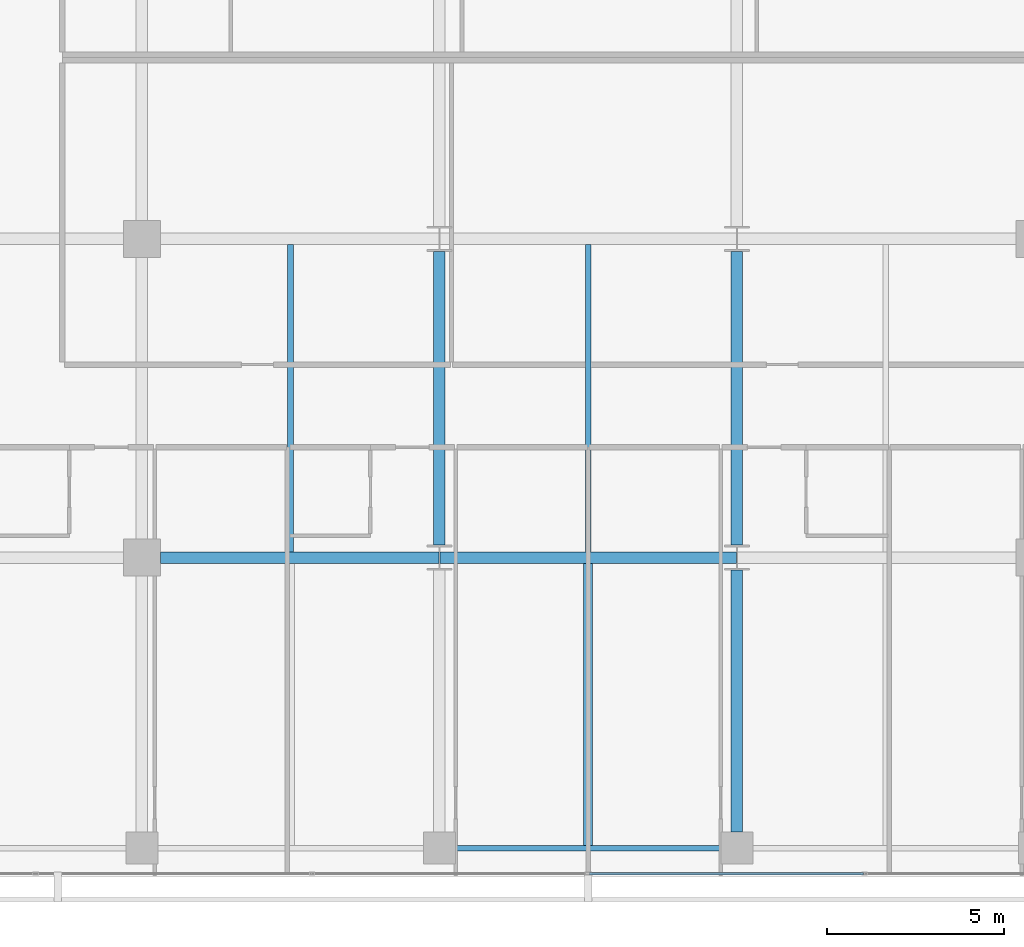
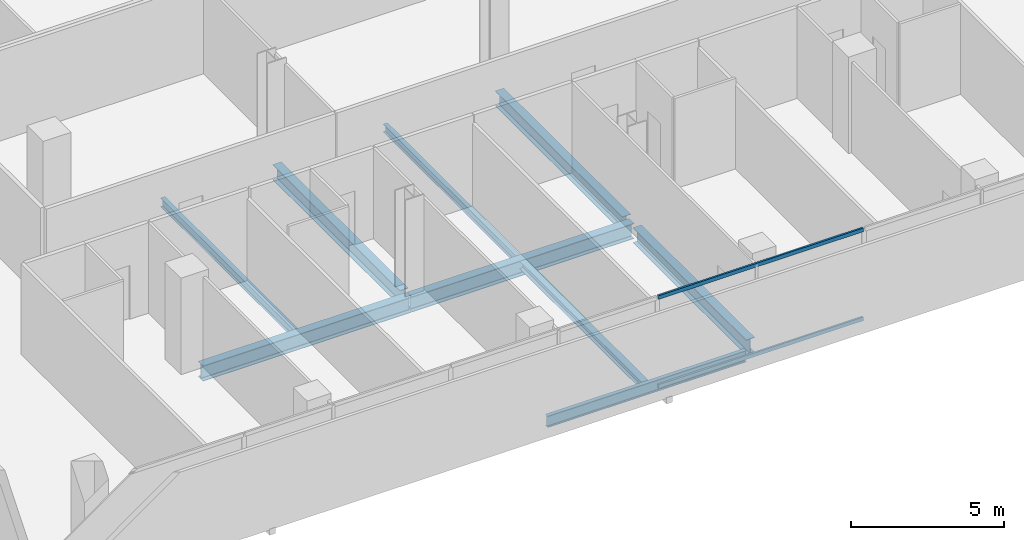
# One storey, part 9 of 40: 9 beams, 2 members, 1 element without a shape of its own.
"""IFC4 building model written with IfcOpenShell, lengths in metres."""

from ifc_helpers import new_model, si_unit, direction, frame, origin, origin_2d, place, context, subcontext, project, spatial, hollow_rectangle, i_section, extrude, material, layer, layer_set, material_profile, profile_set, type_object, element, aggregate, save


model = new_model("IFC4")

# Units and contexts
model_context = context("Model", 3, precision=1e-05, world=origin(), true_north=direction((0.0, 1.0)))
body_context = subcontext(model_context, "Body", "Model", "MODEL_VIEW")
ifc_project = project(units=[si_unit("LENGTHUNIT", "METRE"), si_unit("AREAUNIT", "SQUARE_METRE"), si_unit("VOLUMEUNIT", "CUBIC_METRE"), si_unit("PLANEANGLEUNIT", "RADIAN"), si_unit("MASSUNIT", "GRAM", prefix="KILO")], contexts=[model_context])

# Site, building, storey
site_placement = place(None, origin())
site = spatial("IfcSite", under=ifc_project, at=site_placement, CompositionType="ELEMENT")
building_placement = place(site_placement, origin())
building = spatial("IfcBuilding", under=site, at=building_placement, Name="Maruvema Waterfront Hotel and Observation Tower", CompositionType="ELEMENT")
storey_placement = place(building_placement, frame((0.0, 0.0, 88.550048828125)))
storey = spatial("IfcBuildingStorey", under=building, at=storey_placement, Name="L21", CompositionType="ELEMENT", Elevation=88.550048828125)

# Curtain wall, members
ifc_material_1 = material(Name="Anodised bronze aluminium and solar-control low-E IGU", Category="aluminium")
ifc_layer = layer(ifc_material_1, 0.159912109375, Name="Zone 1 Bronze Inner Thermal Curtain Wall System CW-02")
ifc_layer_set = layer_set([ifc_layer], Name="Anodised bronze aluminium and solar-control low-E IGU")
curtain_wall_type = type_object("IfcCurtainWallType", Name="Zone 1 Bronze Inner Thermal Curtain Wall System CW-02", PredefinedType="USERDEFINED", material=ifc_layer_set)
curtain_wall_placement = place(storey_placement, origin())
curtain_wall = element("IfcCurtainWall", 1, at=curtain_wall_placement, inside=storey, type_object=curtain_wall_type, Name="L21 Curtain Wall CW-L21-S", ObjectType="UNITISED CURTAIN WALL", PredefinedType="USERDEFINED")
ifc_material_2 = material(Name="Anodised architectural bronze aluminium", Category="aluminium")
ifc_material_profile_1 = material_profile(ifc_material_2, hollow_rectangle(XDim=0.070068359375, YDim=0.14990234375, WallThickness=0.00390625, at=origin_2d()), Name="ALU-T70x150")
ifc_profile_set_1 = profile_set([ifc_material_profile_1], Name="Anodised architectural bronze aluminium")
member_type = type_object("IfcMemberType", Name="Curtain Wall Horizontal Transom ALU-T70x150", PredefinedType="USERDEFINED", material=ifc_profile_set_1)
member_1_placement = place(storey_placement, frame((37.830078125, 0.080078125, 0.030029296875), z_axis=(1.0, 0.0, 0.0), x_axis=(0.0, 1.0, 0.0)))
member_1 = element("IfcMember", 2, at=member_1_placement, type_object=member_type, Name="CW-02 transom 4.1", ObjectType="TRANSOM", PredefinedType="USERDEFINED", context=body_context, shape_type="SweptSolid", body=[
    extrude(hollow_rectangle(XDim=0.070068359375, YDim=0.14990234375, WallThickness=0.00390625, at=origin_2d()), origin(), (0.0, 0.0, 1.0), 7.739990234375),
])
member_2_placement = place(storey_placement, frame((37.830078125, 0.080078125, 3.579833984375), z_axis=(1.0, 0.0, 0.0), x_axis=(0.0, 1.0, 0.0)))
member_2 = element("IfcMember", 3, at=member_2_placement, type_object=member_type, Name="CW-02 transom 4.2", ObjectType="TRANSOM", PredefinedType="USERDEFINED", context=body_context, shape_type="SweptSolid", body=[
    extrude(hollow_rectangle(XDim=0.070068359375, YDim=0.14990234375, WallThickness=0.00390625, at=origin_2d()), origin(), (0.0, 0.0, 1.0), 7.739990234375),
])
aggregate(curtain_wall, [member_1, member_2])

# Beams
ifc_material_3 = material(Name="Steel ASTM A572 Grade 50", Category="steel")
ifc_material_profile_2 = material_profile(ifc_material_3, i_section(OverallWidth=0.153076171875, OverallDepth=0.455078125, WebThickness=0.008056640625, FlangeThickness=0.01318359375, FilletRadius=0.014892578125, at=origin_2d()), Name="W460x60.0")
ifc_profile_set_2 = profile_set([ifc_material_profile_2], Name="Steel ASTM A572 Grade 50")
beam_type_1 = type_object("IfcBeamType", Name="Perimeter Spandrel Beam W460x60.0", PredefinedType="SPANDREL", material=ifc_profile_set_2)
beam_1_placement = place(storey_placement, frame((34.050048828125, 0.800048828125, -0.467529296875), z_axis=(1.0, 0.0, 0.0), x_axis=(0.0, 1.0, 0.0)))
element("IfcBeam", 4, at=beam_1_placement, inside=storey, type_object=beam_type_1, Name="L21 Floor Girder EW-03", PredefinedType="SPANDREL", context=body_context, shape_type="SweptSolid", body=[
    extrude(i_section(OverallWidth=0.153076171875, OverallDepth=0.455078125, WebThickness=0.008056640625, FlangeThickness=0.01318359375, FilletRadius=0.014892578125, at=origin_2d()), origin(), (0.0, 0.0, 1.0), 7.5),
])
ifc_material_4 = material(Name="Steel ASTM A572 Grade 50", Category="steel")
ifc_material_profile_3 = material_profile(ifc_material_4, i_section(OverallWidth=0.323974609375, OverallDepth=0.611083984375, WebThickness=0.0126953125, FlangeThickness=0.01904296875, FilletRadius=0.01806640625, at=origin_2d()), Name="W610x155.0")
ifc_profile_set_3 = profile_set([ifc_material_profile_3], Name="Steel ASTM A572 Grade 50")
beam_type_2 = type_object("IfcBeamType", Name="Primary Floor Girder W610x155.0", PredefinedType="BEAM", material=ifc_profile_set_3)
beam_2_placement = place(storey_placement, frame((25.72509765625, 9.0, -0.545654296875), z_axis=(1.0, 0.0, 0.0), x_axis=(0.0, 1.0, 0.0)))
element("IfcBeam", 5, at=beam_2_placement, inside=storey, type_object=beam_type_2, Name="L21 Floor Girder EW-08", PredefinedType="BEAM", context=body_context, shape_type="SweptSolid", body=[
    extrude(i_section(OverallWidth=0.323974609375, OverallDepth=0.611083984375, WebThickness=0.0126953125, FlangeThickness=0.01904296875, FilletRadius=0.01806640625, at=origin_2d()), origin(), (0.0, 0.0, 1.0), 7.86083984375),
])
beam_3_placement = place(storey_placement, frame((33.614013671875, 9.0, -0.545654296875), z_axis=(1.0, 0.0, 0.0), x_axis=(0.0, 1.0, 0.0)))
element("IfcBeam", 6, at=beam_3_placement, inside=storey, type_object=beam_type_2, Name="L21 Floor Girder EW-09", PredefinedType="BEAM", context=body_context, shape_type="SweptSolid", body=[
    extrude(i_section(OverallWidth=0.323974609375, OverallDepth=0.611083984375, WebThickness=0.0126953125, FlangeThickness=0.01904296875, FilletRadius=0.01806640625, at=origin_2d()), origin(), (0.0, 0.0, 1.0), 8.3720703125),
])
beam_4_placement = place(storey_placement, frame((33.60009765625, 9.35009765625, -0.545654296875), z_axis=(0.0, 1.0, 0.0), x_axis=(-1.0, 0.0, 0.0)))
element("IfcBeam", 7, at=beam_4_placement, inside=storey, type_object=beam_type_2, Name="L21 Floor Girder NS-17", PredefinedType="BEAM", context=body_context, shape_type="SweptSolid", body=[
    extrude(i_section(OverallWidth=0.323974609375, OverallDepth=0.611083984375, WebThickness=0.0126953125, FlangeThickness=0.01904296875, FilletRadius=0.01806640625, at=origin_2d()), origin(), (0.0, 0.0, 1.0), 8.2998046875),
])
beam_5_placement = place(storey_placement, frame((42.0, 1.25, -0.545654296875), z_axis=(0.0, 1.0, 0.0), x_axis=(-1.0, 0.0, 0.0)))
element("IfcBeam", 8, at=beam_5_placement, inside=storey, type_object=beam_type_2, Name="L21 Floor Girder NS-19", PredefinedType="BEAM", context=body_context, shape_type="SweptSolid", body=[
    extrude(i_section(OverallWidth=0.323974609375, OverallDepth=0.611083984375, WebThickness=0.0126953125, FlangeThickness=0.01904296875, FilletRadius=0.01806640625, at=origin_2d()), origin(), (0.0, 0.0, 1.0), 7.39990234375),
])
beam_6_placement = place(storey_placement, frame((42.0, 9.35009765625, -0.545654296875), z_axis=(0.0, 1.0, 0.0), x_axis=(-1.0, 0.0, 0.0)))
element("IfcBeam", 9, at=beam_6_placement, inside=storey, type_object=beam_type_2, Name="L21 Floor Girder NS-20", PredefinedType="BEAM", context=body_context, shape_type="SweptSolid", body=[
    extrude(i_section(OverallWidth=0.323974609375, OverallDepth=0.611083984375, WebThickness=0.0126953125, FlangeThickness=0.01904296875, FilletRadius=0.01806640625, at=origin_2d()), origin(), (0.0, 0.0, 1.0), 8.2998046875),
])
ifc_material_5 = material(Name="Steel ASTM A572 Grade 50", Category="steel")
ifc_material_profile_4 = material_profile(ifc_material_5, i_section(OverallWidth=0.1669921875, OverallDepth=0.31689453125, WebThickness=0.007568359375, FlangeThickness=0.01318359375, FilletRadius=0.012939453125, at=origin_2d()), Name="W310x52.0")
ifc_profile_set_4 = profile_set([ifc_material_profile_4], Name="Steel ASTM A572 Grade 50")
beam_type_3 = type_object("IfcBeamType", Name="Secondary Floor Joist W310x52.0", PredefinedType="JOIST", material=ifc_profile_set_4)
beam_7_placement = place(storey_placement, frame((37.800048828125, 9.162109375, -0.3984375), z_axis=(0.0, 1.0, 0.0), x_axis=(-1.0, 0.0, 0.0)))
element("IfcBeam", 10, at=beam_7_placement, inside=storey, type_object=beam_type_3, Name="L21 Secondary Floor Joist JS-13", PredefinedType="JOIST", context=body_context, shape_type="SweptSolid", body=[
    extrude(i_section(OverallWidth=0.1669921875, OverallDepth=0.31689453125, WebThickness=0.007568359375, FlangeThickness=0.01318359375, FilletRadius=0.012939453125, at=origin_2d()), origin(), (0.0, 0.0, 1.0), 8.67578125),
])
ifc_material_6 = material(Name="Steel ASTM A572 Grade 50", Category="steel")
ifc_material_profile_5 = material_profile(ifc_material_6, i_section(OverallWidth=0.25390625, OverallDepth=0.305908203125, WebThickness=0.0087890625, FlangeThickness=0.0146484375, FilletRadius=0.014892578125, at=origin_2d()), Name="W310x79.0")
ifc_profile_set_5 = profile_set([ifc_material_profile_5], Name="Steel ASTM A572 Grade 50")
beam_type_4 = type_object("IfcBeamType", Name="Secondary Floor Joist W310x79.0", PredefinedType="JOIST", material=ifc_profile_set_5)
beam_8_placement = place(storey_placement, frame((37.800048828125, 0.87646484375, -0.39306640625), z_axis=(0.0, 1.0, 0.0), x_axis=(-1.0, 0.0, 0.0)))
element("IfcBeam", 11, at=beam_8_placement, inside=storey, type_object=beam_type_4, Name="L21 Secondary Floor Joist JS-12", PredefinedType="JOIST", context=body_context, shape_type="SweptSolid", body=[
    extrude(i_section(OverallWidth=0.25390625, OverallDepth=0.305908203125, WebThickness=0.0087890625, FlangeThickness=0.0146484375, FilletRadius=0.014892578125, at=origin_2d()), origin(), (0.0, 0.0, 1.0), 7.96142578125),
])
ifc_material_7 = material(Name="Steel ASTM A572 Grade 50", Category="steel")
ifc_material_profile_6 = material_profile(ifc_material_7, i_section(OverallWidth=0.1708984375, OverallDepth=0.35498046875, WebThickness=0.007080078125, FlangeThickness=0.01171875, FilletRadius=0.014892578125, at=origin_2d()), Name="W360x51.0")
ifc_profile_set_6 = profile_set([ifc_material_profile_6], Name="Steel ASTM A572 Grade 50")
beam_type_5 = type_object("IfcBeamType", Name="Secondary Floor Joist W360x51.0", PredefinedType="JOIST", material=ifc_profile_set_6)
beam_9_placement = place(storey_placement, frame((29.39990234375, 9.162109375, -0.41748046875), z_axis=(0.0, 1.0, 0.0), x_axis=(-1.0, 0.0, 0.0)))
element("IfcBeam", 12, at=beam_9_placement, inside=storey, type_object=beam_type_5, Name="L21 Secondary Floor Joist JS-11", PredefinedType="JOIST", context=body_context, shape_type="SweptSolid", body=[
    extrude(i_section(OverallWidth=0.1708984375, OverallDepth=0.35498046875, WebThickness=0.007080078125, FlangeThickness=0.01171875, FilletRadius=0.014892578125, at=origin_2d()), origin(), (0.0, 0.0, 1.0), 8.67578125),
])

save(model, "model.ifc")
